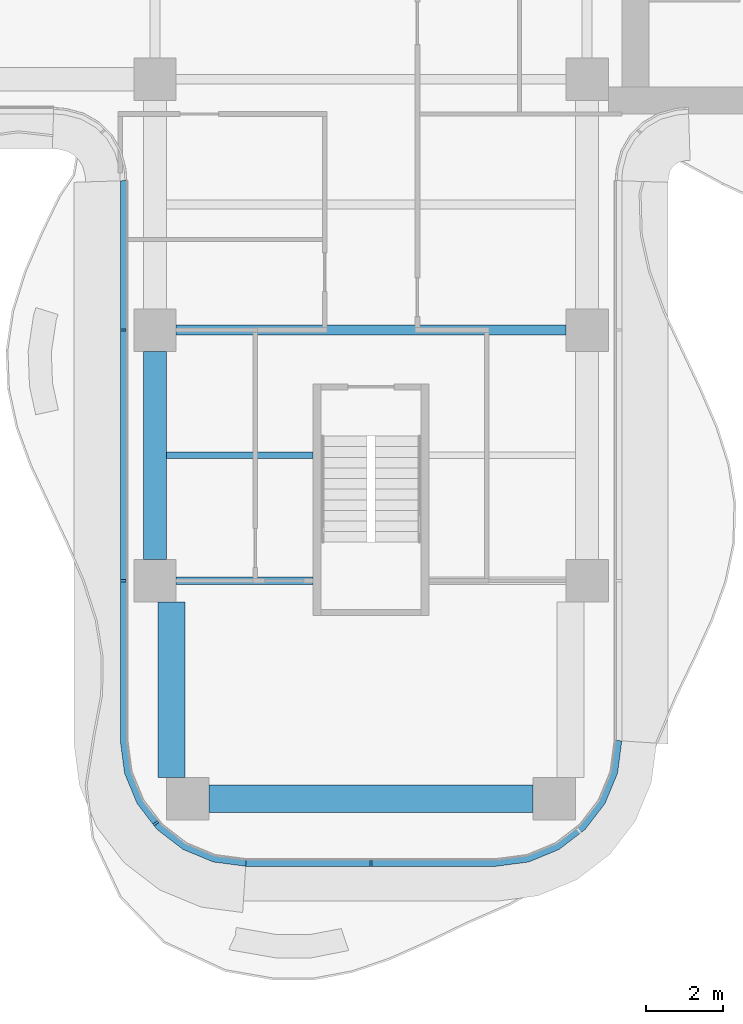
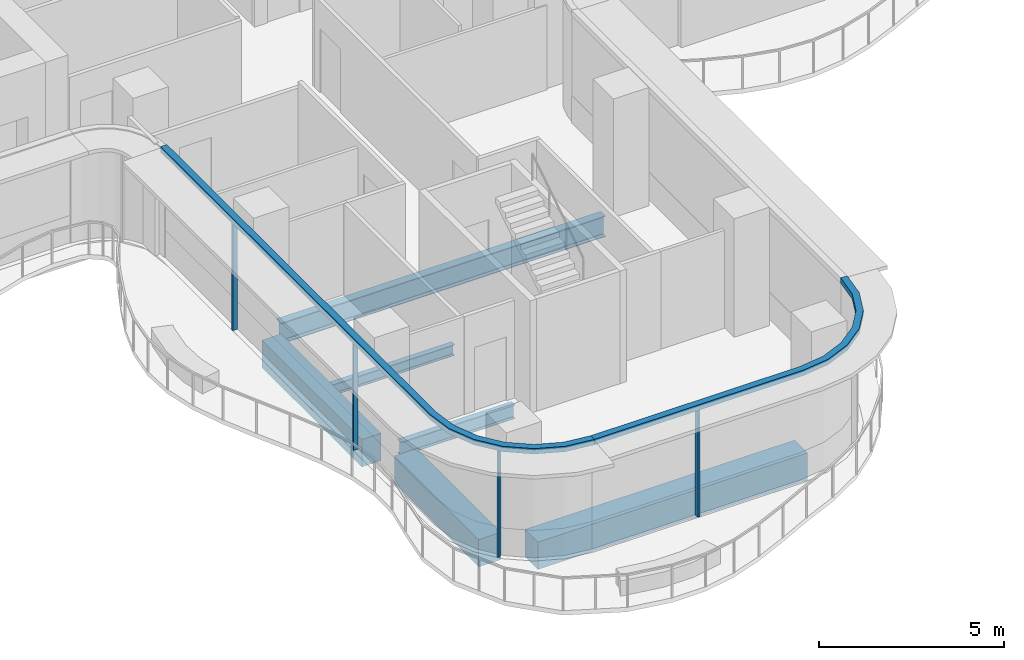
# One storey, part 2 of 18: 6 beams, 6 members, 2 elements without a shape of their own.
"""IFC4 building model written with IfcOpenShell, lengths in metres."""

from ifc_helpers import new_model, si_unit, direction, frame, origin, origin_2d, place, context, subcontext, project, spatial, polyline, rectangle, i_section, outline, extrude, source, transform, mapped, material, layer, layer_set, material_profile, profile_set, type_object, element, aggregate, save


model = new_model("IFC4")

# Units and contexts
model_context = context("Model", 3, precision=1e-05, world=origin(), true_north=direction((0.0, 1.0)))
body_context = subcontext(model_context, "Body", "Model", "MODEL_VIEW")
ifc_project = project(units=[si_unit("LENGTHUNIT", "METRE"), si_unit("AREAUNIT", "SQUARE_METRE"), si_unit("VOLUMEUNIT", "CUBIC_METRE"), si_unit("PLANEANGLEUNIT", "RADIAN"), si_unit("MASSUNIT", "GRAM", prefix="KILO")], contexts=[model_context])

# Site, building, storey
site_placement = place(None, origin())
site = spatial("IfcSite", under=ifc_project, at=site_placement, CompositionType="ELEMENT")
building_placement = place(site_placement, origin())
building = spatial("IfcBuilding", under=site, at=building_placement, Name="Trellis Farm Tower", CompositionType="ELEMENT")
storey_placement = place(building_placement, frame((0.0, 0.0, 224.60009765625)))
storey = spatial("IfcBuildingStorey", under=building, at=storey_placement, Name="L49", CompositionType="ELEMENT", Elevation=224.60009765625)

# Beams
ifc_material_1 = material(Name="Steel S355", Category="steel")
ifc_material_profile_1 = material_profile(ifc_material_1, i_section(OverallWidth=0.17138671875, OverallDepth=0.35498046875, WebThickness=0.00732421875, FlangeThickness=0.011474609375, FilletRadius=0.01025390625, at=origin_2d()), Name="UB 356x171x51")
ifc_profile_set_1 = profile_set([ifc_material_profile_1], Name="Steel S355")
beam_type_1 = type_object("IfcBeamType", Name="UB 356x171x51 joist", PredefinedType="JOIST", material=ifc_profile_set_1)
shared_shape_1 = source(origin(), body_context, "Body", "SweptSolid", [
    extrude(i_section(OverallWidth=0.17138671875, OverallDepth=0.35498046875, WebThickness=0.00732421875, FlangeThickness=0.011474609375, FilletRadius=0.01025390625, at=origin_2d()), origin(), (0.0, 0.0, 1.0), 3.800048828125),
])
beam_1_placement = place(storey_placement, frame((-5.300048828125, -15.35009765625, -0.377685546875), z_axis=(1.0, 0.0, 0.0), x_axis=(0.0, 1.0, 0.0)))
element("IfcBeam", 1, at=beam_1_placement, inside=storey, type_object=beam_type_1, Name="Floor beam", PredefinedType="JOIST", context=body_context, shape_type="MappedRepresentation", body=[
    mapped(shared_shape_1, transform((0.0, 0.0, 0.0))),
])
ifc_material_profile_2 = material_profile(ifc_material_1, i_section(OverallWidth=0.1904296875, OverallDepth=0.45703125, WebThickness=0.009033203125, FlangeThickness=0.014404296875, FilletRadius=0.01025390625, at=origin_2d()), Name="UB 457x191x74")
ifc_profile_set_2 = profile_set([ifc_material_profile_2], Name="Steel S355")
beam_type_2 = type_object("IfcBeamType", Name="UB 457x191x74", PredefinedType="BEAM", material=ifc_profile_set_2)
shared_shape_2 = source(origin(), body_context, "Body", "SweptSolid", [
    extrude(i_section(OverallWidth=0.1904296875, OverallDepth=0.45703125, WebThickness=0.009033203125, FlangeThickness=0.014404296875, FilletRadius=0.01025390625, at=origin_2d()), origin(), (0.0, 0.0, 1.0), 3.550048828125),
])
beam_2_placement = place(storey_placement, frame((-5.050048828125, -18.60009765625, -0.4287109375), z_axis=(1.0, 0.0, 0.0), x_axis=(0.0, 1.0, 0.0)))
element("IfcBeam", 2, at=beam_2_placement, inside=storey, type_object=beam_type_2, Name="Girder", PredefinedType="BEAM", context=body_context, shape_type="MappedRepresentation", body=[
    mapped(shared_shape_2, transform((0.0, 0.0, 0.0))),
])
ifc_material_profile_3 = material_profile(ifc_material_1, i_section(OverallWidth=0.253662109375, OverallDepth=0.68359375, WebThickness=0.012451171875, FlangeThickness=0.021728515625, FilletRadius=0.01513671875, at=origin_2d()), Name="UB 686x254x140")
ifc_profile_set_3 = profile_set([ifc_material_profile_3], Name="Steel S355")
beam_type_3 = type_object("IfcBeamType", Name="UB 686x254x140", PredefinedType="BEAM", material=ifc_profile_set_3)
shared_shape_3 = source(origin(), body_context, "Body", "SweptSolid", [
    extrude(i_section(OverallWidth=0.253662109375, OverallDepth=0.68359375, WebThickness=0.012451171875, FlangeThickness=0.021728515625, FilletRadius=0.01513671875, at=origin_2d()), origin(), (0.0, 0.0, 1.0), 10.10009765625),
])
beam_3_placement = place(storey_placement, frame((-5.050048828125, -12.10009765625, -0.541748046875), z_axis=(1.0, 0.0, 0.0), x_axis=(0.0, 1.0, 0.0)))
element("IfcBeam", 3, at=beam_3_placement, inside=storey, type_object=beam_type_3, Name="Girder", PredefinedType="BEAM", context=body_context, shape_type="MappedRepresentation", body=[
    mapped(shared_shape_3, transform((0.0, 0.0, 0.0))),
])
ifc_material_2 = material(Name="Concrete C60/75", Category="concrete")
ifc_material_profile_4 = material_profile(ifc_material_2, rectangle(XDim=0.60009765625, YDim=0.89990234375, at=origin_2d()), Name="RC spandrel beam 600x900 C60/75")
ifc_profile_set_4 = profile_set([ifc_material_profile_4], Name="Concrete C60/75")
beam_type_4 = type_object("IfcBeamType", Name="RC spandrel beam 600x900 C60/75", PredefinedType="SPANDREL", material=ifc_profile_set_4)
shared_shape_4 = source(origin(), body_context, "Body", "SweptSolid", [
    extrude(rectangle(XDim=0.60009765625, YDim=0.89990234375, at=origin_2d()), origin(), (0.0, 0.0, 1.0), 5.400146484375),
])
beam_4_placement = place(storey_placement, frame((-5.60009765625, -18.050048828125, -0.650146484375), z_axis=(0.0, 1.0, 0.0), x_axis=(-1.0, 0.0, 0.0)))
element("IfcBeam", 4, at=beam_4_placement, inside=storey, type_object=beam_type_4, Name="Girder", PredefinedType="SPANDREL", context=body_context, shape_type="MappedRepresentation", body=[
    mapped(shared_shape_4, transform((0.0, 0.0, 0.0))),
])
ifc_material_profile_5 = material_profile(ifc_material_2, rectangle(XDim=0.699951171875, YDim=0.89990234375, at=origin_2d()), Name="RC spandrel beam 700x900 C60/75")
ifc_profile_set_5 = profile_set([ifc_material_profile_5], Name="Concrete C60/75")
beam_type_5 = type_object("IfcBeamType", Name="RC spandrel beam 700x900 C60/75", PredefinedType="SPANDREL", material=ifc_profile_set_5)
shared_shape_5 = source(origin(), body_context, "Body", "SweptSolid", [
    extrude(rectangle(XDim=0.699951171875, YDim=0.89990234375, at=origin_2d()), origin(), (0.0, 0.0, 1.0), 8.39990234375),
])
beam_5_placement = place(storey_placement, frame((-4.199951171875, -24.25, -0.650146484375), z_axis=(1.0, 0.0, 0.0), x_axis=(0.0, 1.0, 0.0)))
element("IfcBeam", 5, at=beam_5_placement, inside=storey, type_object=beam_type_5, Name="Girder", PredefinedType="SPANDREL", context=body_context, shape_type="MappedRepresentation", body=[
    mapped(shared_shape_5, transform((0.0, 0.0, 0.0))),
])
shared_shape_6 = source(origin(), body_context, "Body", "SweptSolid", [
    extrude(rectangle(XDim=0.699951171875, YDim=0.89990234375, at=origin_2d()), origin(), (0.0, 0.0, 1.0), 4.550048828125),
])
beam_6_placement = place(storey_placement, frame((-5.175048828125, -23.699951171875, -0.650146484375), z_axis=(0.0, 1.0, 0.0), x_axis=(-1.0, 0.0, 0.0)))
element("IfcBeam", 6, at=beam_6_placement, inside=storey, type_object=beam_type_5, Name="Girder", PredefinedType="SPANDREL", context=body_context, shape_type="MappedRepresentation", body=[
    mapped(shared_shape_6, transform((0.0, 0.0, 0.0))),
])

# Curtain wall, member
ifc_material_3 = material(Name="Aluminium and glass curtain wall", Category="aluminium")
ifc_layer_1 = layer(ifc_material_3, 0.18994140625)
ifc_layer_set_1 = layer_set([ifc_layer_1], Name="RIBBON CURTAIN WALL CW1")
curtain_wall_type = type_object("IfcCurtainWallType", Name="RIBBON CURTAIN WALL CW1", PredefinedType="NOTDEFINED", material=ifc_layer_set_1)
placement_1 = place(storey_placement, origin())
curtain_wall_1 = element("IfcCurtainWall", 7, at=placement_1, inside=storey, type_object=curtain_wall_type, Name="CW1 002", PredefinedType="NOTDEFINED")
ifc_material_4 = material(Name="Aluminium extrusion 6063-T6", Category="aluminium")
ifc_layer_2 = layer(ifc_material_4, 0.199951171875)
ifc_layer_set_2 = layer_set([ifc_layer_2], Name="Aluminium extrusion 6063-T6")
member_type_1 = type_object("IfcMemberType", Name="CW1 TRANSOM 200x180", PredefinedType="USERDEFINED", material=ifc_layer_set_2)
shared_shape_7 = source(origin(), body_context, "Body", "SweptSolid", [
    extrude(outline(polyline([(-6.5, -8.2314453125), (-6.5, -22.75), (-6.38916015625, -23.591064453125), (-6.064697265625, -24.375), (-5.548095703125, -25.048095703125), (-4.875, -25.564697265625), (-4.091064453125, -25.88916015625), (-3.25, -26.0), (-3.23681640625, -25.800048828125), (-4.0390625, -25.6943359375), (-4.774169921875, -25.389892578125), (-5.405517578125, -24.905517578125), (-5.889892578125, -24.274169921875), (-6.1943359375, -23.5390625), (-6.300048828125, -22.73681640625), (-6.300048828125, -8.224853515625), (-6.5, -8.2314453125)])), origin(), (0.0, 0.0, 1.0), 0.179931640625),
])
placement_2 = place(storey_placement, frame((0.0, 0.0, 3.52001953125)))
member_1 = element("IfcMember", 8, at=placement_2, type_object=member_type_1, Name="TR1 002", ObjectType="TRANSOM", PredefinedType="USERDEFINED", context=body_context, shape_type="MappedRepresentation", body=[
    mapped(shared_shape_7, transform((0.0, 0.0, 0.0))),
])

curtain_wall_2 = element("IfcCurtainWall", 9, at=placement_1, inside=storey, type_object=curtain_wall_type, Name="CW1 003", PredefinedType="NOTDEFINED")
shared_shape_8 = source(origin(), body_context, "Body", "SweptSolid", [
    extrude(outline(polyline([(-3.25, -26.0), (3.25, -26.0), (4.091064453125, -25.88916015625), (4.875, -25.564697265625), (5.548095703125, -25.048095703125), (6.064697265625, -24.375), (6.38916015625, -23.591064453125), (6.5, -22.75), (6.300048828125, -22.73681640625), (6.1943359375, -23.5390625), (5.889892578125, -24.274169921875), (5.405517578125, -24.905517578125), (4.774169921875, -25.389892578125), (4.0390625, -25.6943359375), (3.23681640625, -25.800048828125), (-3.23681640625, -25.800048828125), (-3.25, -26.0)])), origin(), (0.0, 0.0, 1.0), 0.179931640625),
])
member_2 = element("IfcMember", 10, at=placement_2, type_object=member_type_1, Name="TR1 003", ObjectType="TRANSOM", PredefinedType="USERDEFINED", context=body_context, shape_type="MappedRepresentation", body=[
    mapped(shared_shape_8, transform((0.0, 0.0, 0.0))),
])

# Member
ifc_material_profile_6 = material_profile(ifc_material_4, rectangle(XDim=0.06005859375, YDim=0.14990234375, at=origin_2d()), Name="MULLION 60x150")
ifc_profile_set_6 = profile_set([ifc_material_profile_6], Name="Aluminium extrusion 6063-T6")
member_type_2 = type_object("IfcMemberType", Name="CW1 MULLION 60x150", PredefinedType="MULLION", material=ifc_profile_set_6)
shared_shape_9 = source(origin(), body_context, "Body", "SweptSolid", [
    extrude(rectangle(XDim=0.06005859375, YDim=0.14990234375, at=origin_2d()), origin(), (0.0, 0.0, 1.0), 3.52001953125),
])
member_3_placement = place(storey_placement, frame((-6.425048828125, -12.10009765625, 0.0), z_axis=(0.0, 0.0, 1.0), x_axis=(0.0, -1.0, 0.0)))
member_3 = element("IfcMember", 11, at=member_3_placement, type_object=member_type_2, Name="MU1 002-01", PredefinedType="MULLION", context=body_context, shape_type="MappedRepresentation", body=[
    mapped(shared_shape_9, transform((0.0, 0.0, 0.0))),
])

member_4_placement = place(storey_placement, frame((-6.425048828125, -18.60009765625, 0.0), z_axis=(0.0, 0.0, 1.0), x_axis=(0.0, -1.0, 0.0)))
member_4 = element("IfcMember", 12, at=member_4_placement, type_object=member_type_2, Name="MU1 002-02", PredefinedType="MULLION", context=body_context, shape_type="MappedRepresentation", body=[
    mapped(shared_shape_9, transform((0.0, 0.0, 0.0))),
])

member_5_placement = place(storey_placement, frame((-5.578369140625, -24.885498046875, 0.0), z_axis=(0.0, 0.0, 1.0), x_axis=(0.608761429009, -0.793353340291, 0.0)))
member_5 = element("IfcMember", 13, at=member_5_placement, type_object=member_type_2, Name="MU1 002-03", PredefinedType="MULLION", context=body_context, shape_type="MappedRepresentation", body=[
    mapped(shared_shape_9, transform((0.0, 0.0, 0.0))),
])

aggregate(curtain_wall_1, [member_3, member_4, member_5, member_1])

member_6_placement = place(storey_placement, frame((0.0, -25.925048828125, 0.0), z_axis=(0.0, 0.0, 1.0), x_axis=(1.0, 0.0, 0.0)))
member_6 = element("IfcMember", 14, at=member_6_placement, type_object=member_type_2, Name="MU1 003-01", PredefinedType="MULLION", context=body_context, shape_type="MappedRepresentation", body=[
    mapped(shared_shape_9, transform((0.0, 0.0, 0.0))),
])

aggregate(curtain_wall_2, [member_6, member_2])

save(model, "model.ifc")
